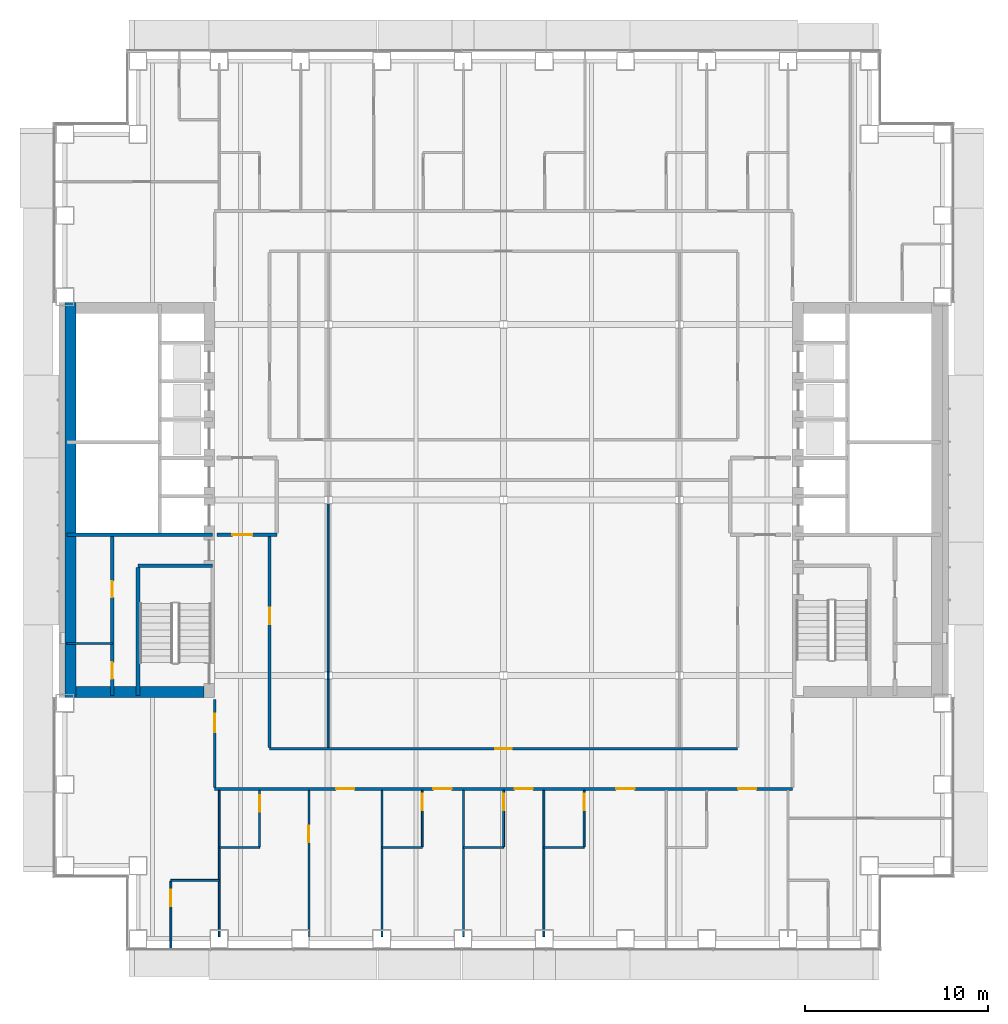
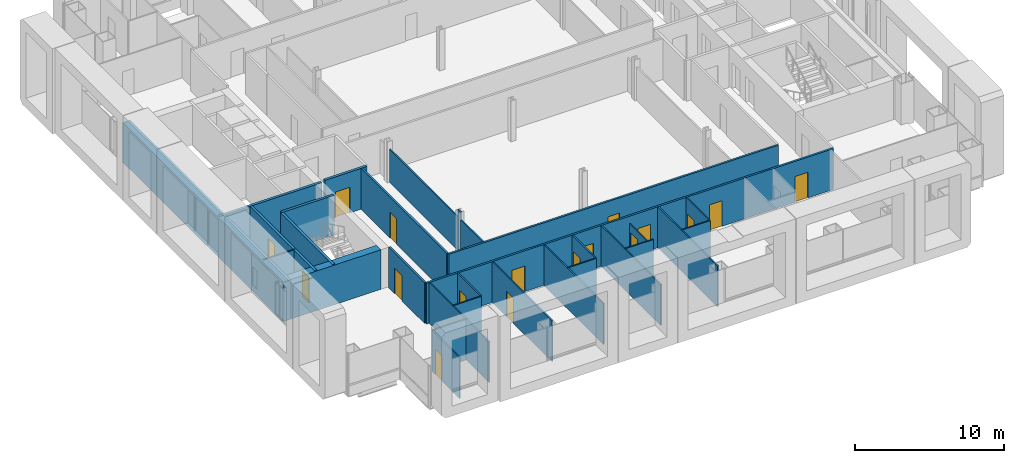
# One storey, part 15 of 25: 30 walls, 17 doors, 17 openings.
"""IFC4 building model written with IfcOpenShell, lengths in metres."""

from ifc_helpers import new_model, si_unit, direction, frame, frame_2d, origin, place, context, subcontext, project, spatial, rectangle, extrude, material, layer, layer_set, type_object, element, fill, save


model = new_model("IFC4")

# Units and contexts
model_context = context("Model", 3, precision=1e-05, world=origin(), true_north=direction((0.0, 1.0)))
body_context = subcontext(model_context, "Body", "Model", "MODEL_VIEW")
ifc_project = project(units=[si_unit("LENGTHUNIT", "METRE"), si_unit("AREAUNIT", "SQUARE_METRE"), si_unit("VOLUMEUNIT", "CUBIC_METRE"), si_unit("PLANEANGLEUNIT", "RADIAN"), si_unit("MASSUNIT", "GRAM", prefix="KILO")], contexts=[model_context])

# Site, building, storey
site_placement = place(None, origin())
site = spatial("IfcSite", under=ifc_project, at=site_placement, CompositionType="ELEMENT")
building_placement = place(site_placement, origin())
building = spatial("IfcBuilding", under=site, at=building_placement, Name="Cobrizo Arcos Hotel Tower", CompositionType="ELEMENT")
storey_placement = place(building_placement, frame((0.0, 0.0, 46.0)))
storey = spatial("IfcBuildingStorey", under=building, at=storey_placement, Name="L09", CompositionType="ELEMENT", Elevation=46.0)

# Wall, openings, doors
ifc_material_1 = material(Name="Gypsum board partition")
ifc_layer_1 = layer(ifc_material_1, 0.14990234375)
ifc_layer_set_1 = layer_set([ifc_layer_1], Name="Corridor wall EI 60 150")
wall_type_1 = type_object("IfcWallType", Name="Corridor wall EI 60 150", PredefinedType="PARTITIONING", material=ifc_layer_set_1)
wall_1_placement = place(storey_placement, frame((-15.800048828125, -15.800048828125, 0.0), z_axis=(0.0, 0.0, 1.0), x_axis=(1.0, 0.0, 0.0)))
wall_1 = element("IfcWall", 1, at=wall_1_placement, inside=storey, type_object=wall_type_1, Name="Partition 009", PredefinedType="PARTITIONING", context=body_context, shape_type="SweptSolid", body=[
    extrude(rectangle(XDim=31.60009765625, YDim=0.14990234375, at=frame_2d((15.800048828125, 0.0))), origin(), (0.0, 0.0, 1.0), 3.35009765625),
])
opening_1_placement = place(wall_1_placement, frame((6.633056640625, 0.0, 0.0)))
opening_1 = element("IfcOpeningElement", 2, at=opening_1_placement, cuts=wall_1, Name="Opening GD-06", PredefinedType="OPENING", context=body_context, shape_type="SweptSolid", body=[
    extrude(rectangle(XDim=1.0, YDim=2.10009765625, at=frame_2d((0.5, 1.050048828125))), frame((0.0, 0.0869140625, 0.0), z_axis=(0.0, -1.0, 0.0), x_axis=(1.0, 0.0, 0.0)), (0.0, 0.0, 1.0), 0.173828125),
])
opening_2_placement = place(wall_1_placement, frame((11.9560546875, 0.0, 0.0)))
opening_2 = element("IfcOpeningElement", 3, at=opening_2_placement, cuts=wall_1, Name="Opening GD-07", PredefinedType="OPENING", context=body_context, shape_type="SweptSolid", body=[
    extrude(rectangle(XDim=1.0, YDim=2.10009765625, at=frame_2d((0.5, 1.050048828125))), frame((0.0, 0.0869140625, 0.0), z_axis=(0.0, -1.0, 0.0), x_axis=(1.0, 0.0, 0.0)), (0.0, 0.0, 1.0), 0.173828125),
])
opening_3_placement = place(wall_1_placement, frame((16.39990234375, 0.0, 0.0)))
opening_3 = element("IfcOpeningElement", 4, at=opening_3_placement, cuts=wall_1, Name="Opening GD-08", PredefinedType="OPENING", context=body_context, shape_type="SweptSolid", body=[
    extrude(rectangle(XDim=1.0, YDim=2.10009765625, at=frame_2d((0.5, 1.050048828125))), frame((0.0, 0.0869140625, 0.0), z_axis=(0.0, -1.0, 0.0), x_axis=(1.0, 0.0, 0.0)), (0.0, 0.0, 1.0), 0.173828125),
])
opening_4_placement = place(wall_1_placement, frame((21.9560546875, 0.0, 0.0)))
opening_4 = element("IfcOpeningElement", 5, at=opening_4_placement, cuts=wall_1, Name="Opening GD-09", PredefinedType="OPENING", context=body_context, shape_type="SweptSolid", body=[
    extrude(rectangle(XDim=1.0, YDim=2.10009765625, at=frame_2d((0.5, 1.050048828125))), frame((0.0, 0.0869140625, 0.0), z_axis=(0.0, -1.0, 0.0), x_axis=(1.0, 0.0, 0.0)), (0.0, 0.0, 1.0), 0.173828125),
])
opening_5_placement = place(wall_1_placement, frame((28.623046875, 0.0, 0.0)))
opening_5 = element("IfcOpeningElement", 6, at=opening_5_placement, cuts=wall_1, Name="Opening GD-10", PredefinedType="OPENING", context=body_context, shape_type="SweptSolid", body=[
    extrude(rectangle(XDim=1.0, YDim=2.10009765625, at=frame_2d((0.5, 1.050048828125))), frame((0.0, 0.0869140625, 0.0), z_axis=(0.0, -1.0, 0.0), x_axis=(1.0, 0.0, 0.0)), (0.0, 0.0, 1.0), 0.173828125),
])
ifc_material_2 = material(Name="Timber door leaf", Category="wood")
door_type_1 = type_object("IfcDoorType", Name="Guest room door FD30S 1000x2100", OperationType="SINGLE_SWING_LEFT", PredefinedType="DOOR", material=ifc_material_2)
door_1_placement = place(opening_1_placement, origin())
door_1 = element("IfcDoor", 7, at=door_1_placement, inside=storey, type_object=door_type_1, Name="Door GD-06", OperationType="SINGLE_SWING_LEFT", OverallHeight=2.10009765625, OverallWidth=1.0, PredefinedType="DOOR", context=body_context, shape_type="SweptSolid", body=[
    extrude(rectangle(XDim=1.0, YDim=2.10009765625, at=frame_2d((0.5, 1.050048828125))), frame((0.0, 0.02490234375, 0.0), z_axis=(0.0, -1.0, 0.0), x_axis=(1.0, 0.0, 0.0)), (0.0, 0.0, 1.0), 0.050048828125),
])
fill(opening_1, door_1)
door_2_placement = place(opening_2_placement, origin())
door_2 = element("IfcDoor", 8, at=door_2_placement, inside=storey, type_object=door_type_1, Name="Door GD-07", OperationType="SINGLE_SWING_LEFT", OverallHeight=2.10009765625, OverallWidth=1.0, PredefinedType="DOOR", context=body_context, shape_type="SweptSolid", body=[
    extrude(rectangle(XDim=1.0, YDim=2.10009765625, at=frame_2d((0.5, 1.050048828125))), frame((0.0, 0.02490234375, 0.0), z_axis=(0.0, -1.0, 0.0), x_axis=(1.0, 0.0, 0.0)), (0.0, 0.0, 1.0), 0.050048828125),
])
fill(opening_2, door_2)
door_3_placement = place(opening_3_placement, origin())
door_3 = element("IfcDoor", 9, at=door_3_placement, inside=storey, type_object=door_type_1, Name="Door GD-08", OperationType="SINGLE_SWING_LEFT", OverallHeight=2.10009765625, OverallWidth=1.0, PredefinedType="DOOR", context=body_context, shape_type="SweptSolid", body=[
    extrude(rectangle(XDim=1.0, YDim=2.10009765625, at=frame_2d((0.5, 1.050048828125))), frame((0.0, 0.02490234375, 0.0), z_axis=(0.0, -1.0, 0.0), x_axis=(1.0, 0.0, 0.0)), (0.0, 0.0, 1.0), 0.050048828125),
])
fill(opening_3, door_3)
door_4_placement = place(opening_4_placement, origin())
door_4 = element("IfcDoor", 10, at=door_4_placement, inside=storey, type_object=door_type_1, Name="Door GD-09", OperationType="SINGLE_SWING_RIGHT", OverallHeight=2.10009765625, OverallWidth=1.0, PredefinedType="DOOR", context=body_context, shape_type="SweptSolid", body=[
    extrude(rectangle(XDim=1.0, YDim=2.10009765625, at=frame_2d((0.5, 1.050048828125))), frame((0.0, 0.02490234375, 0.0), z_axis=(0.0, -1.0, 0.0), x_axis=(1.0, 0.0, 0.0)), (0.0, 0.0, 1.0), 0.050048828125),
])
fill(opening_4, door_4)
door_5_placement = place(opening_5_placement, origin())
door_5 = element("IfcDoor", 11, at=door_5_placement, inside=storey, type_object=door_type_1, Name="Door GD-10", OperationType="SINGLE_SWING_LEFT", OverallHeight=2.10009765625, OverallWidth=1.0, PredefinedType="DOOR", context=body_context, shape_type="SweptSolid", body=[
    extrude(rectangle(XDim=1.0, YDim=2.10009765625, at=frame_2d((0.5, 1.050048828125))), frame((0.0, 0.02490234375, 0.0), z_axis=(0.0, -1.0, 0.0), x_axis=(1.0, 0.0, 0.0)), (0.0, 0.0, 1.0), 0.050048828125),
])
fill(opening_5, door_5)

# Wall, opening, door
wall_2_placement = place(storey_placement, frame((-12.800048828125, -13.60009765625, 0.0), z_axis=(0.0, 0.0, 1.0), x_axis=(1.0, 0.0, 0.0)))
wall_2 = element("IfcWall", 12, at=wall_2_placement, inside=storey, type_object=wall_type_1, Name="Partition 010", PredefinedType="PARTITIONING", context=body_context, shape_type="SweptSolid", body=[
    extrude(rectangle(XDim=25.60009765625, YDim=0.14990234375, at=frame_2d((12.800048828125, 0.0))), origin(), (0.0, 0.0, 1.0), 3.35009765625),
])
opening_6_placement = place(wall_2_placement, frame((12.35009765625, 0.0, 0.0)))
opening_6 = element("IfcOpeningElement", 13, at=opening_6_placement, cuts=wall_2, Name="Opening RD-13", PredefinedType="OPENING", context=body_context, shape_type="SweptSolid", body=[
    extrude(rectangle(XDim=0.89990234375, YDim=2.10009765625, at=frame_2d((0.449951171875, 1.050048828125))), frame((0.0, 0.0869140625, 0.0), z_axis=(0.0, -1.0, 0.0), x_axis=(1.0, 0.0, 0.0)), (0.0, 0.0, 1.0), 0.173828125),
])
door_type_2 = type_object("IfcDoorType", Name="Room door FD30 900x2100", OperationType="SINGLE_SWING_LEFT", PredefinedType="DOOR", material=ifc_material_2)
door_6_placement = place(opening_6_placement, origin())
door_6 = element("IfcDoor", 14, at=door_6_placement, inside=storey, type_object=door_type_2, Name="Door RD-13", OperationType="SINGLE_SWING_LEFT", OverallHeight=2.10009765625, OverallWidth=0.89990234375, PredefinedType="DOOR", context=body_context, shape_type="SweptSolid", body=[
    extrude(rectangle(XDim=0.89990234375, YDim=2.10009765625, at=frame_2d((0.449951171875, 1.050048828125))), frame((0.0, 0.02490234375, 0.0), z_axis=(0.0, -1.0, 0.0), x_axis=(1.0, 0.0, 0.0)), (0.0, 0.0, 1.0), 0.050048828125),
])
fill(opening_6, door_6)

wall_3_placement = place(storey_placement, frame((-15.800048828125, -15.72509765625, 0.0), z_axis=(0.0, 0.0, 1.0), x_axis=(0.0, 1.0, 0.0)))
wall_3 = element("IfcWall", 15, at=wall_3_placement, inside=storey, type_object=wall_type_1, Name="Partition 050", PredefinedType="PARTITIONING", context=body_context, shape_type="SweptSolid", body=[
    extrude(rectangle(XDim=4.80517578125, YDim=0.14990234375, at=frame_2d((2.402587890625, 0.0))), origin(), (0.0, 0.0, 1.0), 3.35009765625),
])
opening_7_placement = place(wall_3_placement, frame((3.02490234375, 0.0, 0.0)))
opening_7 = element("IfcOpeningElement", 16, at=opening_7_placement, cuts=wall_3, Name="Opening GD-11", PredefinedType="OPENING", context=body_context, shape_type="SweptSolid", body=[
    extrude(rectangle(XDim=1.0, YDim=2.10009765625, at=frame_2d((0.5, 1.050048828125))), frame((0.0, 0.0869140625, 0.0), z_axis=(0.0, -1.0, 0.0), x_axis=(1.0, 0.0, 0.0)), (0.0, 0.0, 1.0), 0.173828125),
])
door_7_placement = place(opening_7_placement, origin())
door_7 = element("IfcDoor", 17, at=door_7_placement, inside=storey, type_object=door_type_1, Name="Door GD-11", OperationType="SINGLE_SWING_RIGHT", OverallHeight=2.10009765625, OverallWidth=1.0, PredefinedType="DOOR", context=body_context, shape_type="SweptSolid", body=[
    extrude(rectangle(XDim=1.0, YDim=2.10009765625, at=frame_2d((0.5, 1.050048828125))), frame((0.0, 0.02490234375, 0.0), z_axis=(0.0, -1.0, 0.0), x_axis=(1.0, 0.0, 0.0)), (0.0, 0.0, 1.0), 0.050048828125),
])
fill(opening_7, door_7)

wall_4_placement = place(storey_placement, frame((-12.800048828125, -13.52490234375, 0.0), z_axis=(0.0, 0.0, 1.0), x_axis=(0.0, 1.0, 0.0)))
wall_4 = element("IfcWall", 18, at=wall_4_placement, inside=storey, type_object=wall_type_1, Name="Partition 056", PredefinedType="PARTITIONING", context=body_context, shape_type="SweptSolid", body=[
    extrude(rectangle(XDim=11.52490234375, YDim=0.14990234375, at=frame_2d((5.762451171875, 0.0))), origin(), (0.0, 0.0, 1.0), 3.35009765625),
])
opening_8_placement = place(wall_4_placement, frame((6.72509765625, 0.0, 0.0)))
opening_8 = element("IfcOpeningElement", 19, at=opening_8_placement, cuts=wall_4, Name="Opening RD-10", PredefinedType="OPENING", context=body_context, shape_type="SweptSolid", body=[
    extrude(rectangle(XDim=0.89990234375, YDim=2.10009765625, at=frame_2d((0.449951171875, 1.050048828125))), frame((0.0, 0.0869140625, 0.0), z_axis=(0.0, -1.0, 0.0), x_axis=(1.0, 0.0, 0.0)), (0.0, 0.0, 1.0), 0.173828125),
])
door_8_placement = place(opening_8_placement, origin())
door_8 = element("IfcDoor", 20, at=door_8_placement, inside=storey, type_object=door_type_2, Name="Door RD-10", OperationType="SINGLE_SWING_RIGHT", OverallHeight=2.10009765625, OverallWidth=0.89990234375, PredefinedType="DOOR", context=body_context, shape_type="SweptSolid", body=[
    extrude(rectangle(XDim=0.89990234375, YDim=2.10009765625, at=frame_2d((0.449951171875, 1.050048828125))), frame((0.0, 0.02490234375, 0.0), z_axis=(0.0, -1.0, 0.0), x_axis=(1.0, 0.0, 0.0)), (0.0, 0.0, 1.0), 0.050048828125),
])
fill(opening_8, door_8)

# Walls
ifc_layer_2 = layer(ifc_material_1, 0.10009765625)
ifc_layer_set_2 = layer_set([ifc_layer_2], Name="Partition EI 30 100")
wall_type_2 = type_object("IfcWallType", Name="Partition EI 30 100", PredefinedType="PARTITIONING", material=ifc_layer_set_2)
wall_5_placement = place(storey_placement, frame((-18.199951171875, -20.800048828125, 0.0), z_axis=(0.0, 0.0, 1.0), x_axis=(1.0, 0.0, 0.0)))
element("IfcWall", 21, at=wall_5_placement, inside=storey, type_object=wall_type_2, Name="Partition 001", PredefinedType="PARTITIONING", context=body_context, shape_type="SweptSolid", body=[
    extrude(rectangle(XDim=2.64990234375, YDim=0.10009765625, at=frame_2d((1.324951171875, 0.0))), origin(), (0.0, 0.0, 1.0), 3.35009765625),
])
for number, where, z_axis, x_axis, name in (
    (22, (-15.550048828125, -19.0, 0.0), (0.0, 0.0, 1.0), (1.0, 0.0, 0.0), "Partition 003"),
    (23, (-6.64990234375, -19.0, 0.0), (0.0, 0.0, 1.0), (1.0, 0.0, 0.0), "Partition 004"),
    (24, (-2.199951171875, -19.0, 0.0), (0.0, 0.0, 1.0), (1.0, 0.0, 0.0), "Partition 005"),
    (25, (2.199951171875, -19.0, 0.0), (0.0, 0.0, 1.0), (1.0, 0.0, 0.0), "Partition 006"),
):
    element("IfcWall", number, at=place(storey_placement, frame(where, z_axis=z_axis, x_axis=x_axis)), inside=storey, type_object=wall_type_2, Name=name, PredefinedType="PARTITIONING", context=body_context, shape_type="SweptSolid", body=[
        extrude(rectangle(XDim=2.199951171875, YDim=0.10009765625, at=frame_2d((1.10009765625, 0.0))), origin(), (0.0, 0.0, 1.0), 3.35009765625),
    ])
wall_6_placement = place(storey_placement, frame((-23.8798828125, -7.85009765625, 0.0), z_axis=(0.0, 0.0, 1.0), x_axis=(1.0, 0.0, 0.0)))
element("IfcWall", 26, at=wall_6_placement, inside=storey, type_object=wall_type_2, Name="Partition 011", PredefinedType="PARTITIONING", context=body_context, shape_type="SweptSolid", body=[
    extrude(rectangle(XDim=2.47998046875, YDim=0.10009765625, at=frame_2d((1.239990234375, 0.0))), origin(), (0.0, 0.0, 1.0), 3.25),
])

# Wall, opening, door
wall_7_placement = place(storey_placement, frame((-18.199951171875, -24.530029296875, 0.0), z_axis=(0.0, 0.0, 1.0), x_axis=(0.0, 1.0, 0.0)))
wall_7 = element("IfcWall", 27, at=wall_7_placement, inside=storey, type_object=wall_type_2, Name="Partition 048", PredefinedType="PARTITIONING", context=body_context, shape_type="SweptSolid", body=[
    extrude(rectangle(XDim=3.679931640625, YDim=0.10009765625, at=frame_2d((1.83984375, 0.0))), origin(), (0.0, 0.0, 1.0), 3.35009765625),
])
opening_9_placement = place(wall_7_placement, frame((2.320068359375, 0.0, 0.0)))
opening_9 = element("IfcOpeningElement", 28, at=opening_9_placement, cuts=wall_7, Name="Opening ED-12", PredefinedType="OPENING", context=body_context, shape_type="SweptSolid", body=[
    extrude(rectangle(XDim=0.89990234375, YDim=2.10009765625, at=frame_2d((0.449951171875, 1.050048828125))), frame((0.0, 0.06201171875, 0.0), z_axis=(0.0, -1.0, 0.0), x_axis=(1.0, 0.0, 0.0)), (0.0, 0.0, 1.0), 0.1240234375),
])
door_type_3 = type_object("IfcDoorType", Name="En-suite door 900x2100", OperationType="SINGLE_SWING_LEFT", PredefinedType="DOOR", material=ifc_material_2)
door_9_placement = place(opening_9_placement, origin())
door_9 = element("IfcDoor", 29, at=door_9_placement, inside=storey, type_object=door_type_3, Name="Door ED-12", OperationType="SINGLE_SWING_LEFT", OverallHeight=2.10009765625, OverallWidth=0.89990234375, PredefinedType="DOOR", context=body_context, shape_type="SweptSolid", body=[
    extrude(rectangle(XDim=0.89990234375, YDim=2.10009765625, at=frame_2d((0.449951171875, 1.050048828125))), frame((0.0, 0.02490234375, 0.0), z_axis=(0.0, -1.0, 0.0), x_axis=(1.0, 0.0, 0.0)), (0.0, 0.0, 1.0), 0.050048828125),
])
fill(opening_9, door_9)

# Wall
wall_8_placement = place(storey_placement, frame((-15.550048828125, -23.8798828125, 0.0), z_axis=(0.0, 0.0, 1.0), x_axis=(0.0, 1.0, 0.0)))
element("IfcWall", 30, at=wall_8_placement, inside=storey, type_object=wall_type_2, Name="Partition 052", PredefinedType="PARTITIONING", context=body_context, shape_type="SweptSolid", body=[
    extrude(rectangle(XDim=8.0048828125, YDim=0.10009765625, at=frame_2d((4.00244140625, 0.0))), origin(), (0.0, 0.0, 1.0), 3.35009765625),
])

# Wall, opening, door
wall_9_placement = place(storey_placement, frame((-13.35009765625, -18.949951171875, 0.0), z_axis=(0.0, 0.0, 1.0), x_axis=(0.0, 1.0, 0.0)))
wall_9 = element("IfcWall", 31, at=wall_9_placement, inside=storey, type_object=wall_type_2, Name="Partition 054", PredefinedType="PARTITIONING", context=body_context, shape_type="SweptSolid", body=[
    extrude(rectangle(XDim=3.074951171875, YDim=0.10009765625, at=frame_2d((1.53759765625, 0.0))), origin(), (0.0, 0.0, 1.0), 3.35009765625),
])
opening_10_placement = place(wall_9_placement, frame((1.89990234375, 0.0, 0.0)))
opening_10 = element("IfcOpeningElement", 32, at=opening_10_placement, cuts=wall_9, Name="Opening ED-07", PredefinedType="OPENING", context=body_context, shape_type="SweptSolid", body=[
    extrude(rectangle(XDim=0.89990234375, YDim=2.10009765625, at=frame_2d((0.449951171875, 1.050048828125))), frame((0.0, 0.06201171875, 0.0), z_axis=(0.0, -1.0, 0.0), x_axis=(1.0, 0.0, 0.0)), (0.0, 0.0, 1.0), 0.1240234375),
])
door_10_placement = place(opening_10_placement, origin())
door_10 = element("IfcDoor", 33, at=door_10_placement, inside=storey, type_object=door_type_3, Name="Door ED-07", OperationType="SINGLE_SWING_RIGHT", OverallHeight=2.10009765625, OverallWidth=0.89990234375, PredefinedType="DOOR", context=body_context, shape_type="SweptSolid", body=[
    extrude(rectangle(XDim=0.89990234375, YDim=2.10009765625, at=frame_2d((0.449951171875, 1.050048828125))), frame((0.0, 0.02490234375, 0.0), z_axis=(0.0, -1.0, 0.0), x_axis=(1.0, 0.0, 0.0)), (0.0, 0.0, 1.0), 0.050048828125),
])
fill(opening_10, door_10)

wall_10_placement = place(storey_placement, frame((-10.64990234375, -23.8798828125, 0.0), z_axis=(0.0, 0.0, 1.0), x_axis=(0.0, 1.0, 0.0)))
wall_10 = element("IfcWall", 34, at=wall_10_placement, inside=storey, type_object=wall_type_2, Name="Partition 062", PredefinedType="PARTITIONING", context=body_context, shape_type="SweptSolid", body=[
    extrude(rectangle(XDim=8.0048828125, YDim=0.10009765625, at=frame_2d((4.00244140625, 0.0))), origin(), (0.0, 0.0, 1.0), 3.35009765625),
])
opening_11_placement = place(wall_10_placement, frame((5.169921875, 0.0, 0.0)))
opening_11 = element("IfcOpeningElement", 35, at=opening_11_placement, cuts=wall_10, Name="Opening RD-05", PredefinedType="OPENING", context=body_context, shape_type="SweptSolid", body=[
    extrude(rectangle(XDim=0.89990234375, YDim=2.10009765625, at=frame_2d((0.449951171875, 1.050048828125))), frame((0.0, 0.06201171875, 0.0), z_axis=(0.0, -1.0, 0.0), x_axis=(1.0, 0.0, 0.0)), (0.0, 0.0, 1.0), 0.1240234375),
])
door_11_placement = place(opening_11_placement, origin())
door_11 = element("IfcDoor", 36, at=door_11_placement, inside=storey, type_object=door_type_2, Name="Door RD-05", OperationType="SINGLE_SWING_LEFT", OverallHeight=2.10009765625, OverallWidth=0.89990234375, PredefinedType="DOOR", context=body_context, shape_type="SweptSolid", body=[
    extrude(rectangle(XDim=0.89990234375, YDim=2.10009765625, at=frame_2d((0.449951171875, 1.050048828125))), frame((0.0, 0.02490234375, 0.0), z_axis=(0.0, -1.0, 0.0), x_axis=(1.0, 0.0, 0.0)), (0.0, 0.0, 1.0), 0.050048828125),
])
fill(opening_11, door_11)

# Walls
wall_11_placement = place(storey_placement, frame((-9.60009765625, -13.52490234375, 0.0), z_axis=(0.0, 0.0, 1.0), x_axis=(0.0, 1.0, 0.0)))
element("IfcWall", 37, at=wall_11_placement, inside=storey, type_object=wall_type_2, Name="Partition 063", PredefinedType="PARTITIONING", context=body_context, shape_type="SweptSolid", body=[
    extrude(rectangle(XDim=3.720947265625, YDim=0.10009765625, at=frame_2d((1.8603515625, 0.0))), origin(), (0.0, 0.0, 1.0), 2.72802734375),
])
wall_12_placement = place(storey_placement, frame((-9.60009765625, -9.803955078125, 0.0), z_axis=(0.0, 0.0, 1.0), x_axis=(0.0, 1.0, 0.0)))
element("IfcWall", 38, at=wall_12_placement, inside=storey, type_object=wall_type_2, Name="Partition 064", PredefinedType="PARTITIONING", context=body_context, shape_type="SweptSolid", body=[
    extrude(rectangle(XDim=0.407958984375, YDim=0.10009765625, at=frame_2d((0.2041015625, 0.0))), origin(), (0.0, 0.0, 1.0), 3.35009765625),
])
wall_13_placement = place(storey_placement, frame((-9.60009765625, -9.39599609375, 0.0), z_axis=(0.0, 0.0, 1.0), x_axis=(0.0, 1.0, 0.0)))
element("IfcWall", 39, at=wall_13_placement, inside=storey, type_object=wall_type_2, Name="Partition 065", PredefinedType="PARTITIONING", context=body_context, shape_type="SweptSolid", body=[
    extrude(rectangle(XDim=9.19189453125, YDim=0.10009765625, at=frame_2d((4.595947265625, 0.0))), origin(), (0.0, 0.0, 1.0), 2.72802734375),
])
wall_14_placement = place(storey_placement, frame((-6.64990234375, -23.8798828125, 0.0), z_axis=(0.0, 0.0, 1.0), x_axis=(0.0, 1.0, 0.0)))
element("IfcWall", 40, at=wall_14_placement, inside=storey, type_object=wall_type_2, Name="Partition 072", PredefinedType="PARTITIONING", context=body_context, shape_type="SweptSolid", body=[
    extrude(rectangle(XDim=8.0048828125, YDim=0.10009765625, at=frame_2d((4.00244140625, 0.0))), origin(), (0.0, 0.0, 1.0), 3.35009765625),
])

# Wall, opening, door
wall_15_placement = place(storey_placement, frame((-4.449951171875, -18.949951171875, 0.0), z_axis=(0.0, 0.0, 1.0), x_axis=(0.0, 1.0, 0.0)))
wall_15 = element("IfcWall", 41, at=wall_15_placement, inside=storey, type_object=wall_type_2, Name="Partition 073", PredefinedType="PARTITIONING", context=body_context, shape_type="SweptSolid", body=[
    extrude(rectangle(XDim=3.074951171875, YDim=0.10009765625, at=frame_2d((1.53759765625, 0.0))), origin(), (0.0, 0.0, 1.0), 3.35009765625),
])
opening_12_placement = place(wall_15_placement, frame((1.99609375, 0.0, 0.0)))
opening_12 = element("IfcOpeningElement", 42, at=opening_12_placement, cuts=wall_15, Name="Opening ED-08", PredefinedType="OPENING", context=body_context, shape_type="SweptSolid", body=[
    extrude(rectangle(XDim=0.89990234375, YDim=2.10009765625, at=frame_2d((0.449951171875, 1.050048828125))), frame((0.0, 0.06201171875, 0.0), z_axis=(0.0, -1.0, 0.0), x_axis=(1.0, 0.0, 0.0)), (0.0, 0.0, 1.0), 0.1240234375),
])
door_12_placement = place(opening_12_placement, origin())
door_12 = element("IfcDoor", 43, at=door_12_placement, inside=storey, type_object=door_type_3, Name="Door ED-08", OperationType="SINGLE_SWING_LEFT", OverallHeight=2.10009765625, OverallWidth=0.89990234375, PredefinedType="DOOR", context=body_context, shape_type="SweptSolid", body=[
    extrude(rectangle(XDim=0.89990234375, YDim=2.10009765625, at=frame_2d((0.449951171875, 1.050048828125))), frame((0.0, 0.02490234375, 0.0), z_axis=(0.0, -1.0, 0.0), x_axis=(1.0, 0.0, 0.0)), (0.0, 0.0, 1.0), 0.050048828125),
])
fill(opening_12, door_12)

# Wall
wall_16_placement = place(storey_placement, frame((-2.199951171875, -23.8798828125, 0.0), z_axis=(0.0, 0.0, 1.0), x_axis=(0.0, 1.0, 0.0)))
element("IfcWall", 44, at=wall_16_placement, inside=storey, type_object=wall_type_2, Name="Partition 075", PredefinedType="PARTITIONING", context=body_context, shape_type="SweptSolid", body=[
    extrude(rectangle(XDim=8.0048828125, YDim=0.10009765625, at=frame_2d((4.00244140625, 0.0))), origin(), (0.0, 0.0, 1.0), 3.35009765625),
])

# Wall, opening, door
wall_17_placement = place(storey_placement, frame((0.0, -18.949951171875, 0.0), z_axis=(0.0, 0.0, 1.0), x_axis=(0.0, 1.0, 0.0)))
wall_17 = element("IfcWall", 45, at=wall_17_placement, inside=storey, type_object=wall_type_2, Name="Partition 077", PredefinedType="PARTITIONING", context=body_context, shape_type="SweptSolid", body=[
    extrude(rectangle(XDim=3.074951171875, YDim=0.10009765625, at=frame_2d((1.53759765625, 0.0))), origin(), (0.0, 0.0, 1.0), 2.72802734375),
])
opening_13_placement = place(wall_17_placement, frame((1.99609375, 0.0, 0.0)))
opening_13 = element("IfcOpeningElement", 46, at=opening_13_placement, cuts=wall_17, Name="Opening ED-09", PredefinedType="OPENING", context=body_context, shape_type="SweptSolid", body=[
    extrude(rectangle(XDim=0.89990234375, YDim=2.10009765625, at=frame_2d((0.449951171875, 1.050048828125))), frame((0.0, 0.06201171875, 0.0), z_axis=(0.0, -1.0, 0.0), x_axis=(1.0, 0.0, 0.0)), (0.0, 0.0, 1.0), 0.1240234375),
])
door_13_placement = place(opening_13_placement, origin())
door_13 = element("IfcDoor", 47, at=door_13_placement, inside=storey, type_object=door_type_3, Name="Door ED-09", OperationType="SINGLE_SWING_LEFT", OverallHeight=2.10009765625, OverallWidth=0.89990234375, PredefinedType="DOOR", context=body_context, shape_type="SweptSolid", body=[
    extrude(rectangle(XDim=0.89990234375, YDim=2.10009765625, at=frame_2d((0.449951171875, 1.050048828125))), frame((0.0, 0.02490234375, 0.0), z_axis=(0.0, -1.0, 0.0), x_axis=(1.0, 0.0, 0.0)), (0.0, 0.0, 1.0), 0.050048828125),
])
fill(opening_13, door_13)

# Wall
wall_18_placement = place(storey_placement, frame((2.199951171875, -23.8798828125, 0.0), z_axis=(0.0, 0.0, 1.0), x_axis=(0.0, 1.0, 0.0)))
element("IfcWall", 48, at=wall_18_placement, inside=storey, type_object=wall_type_2, Name="Partition 078", PredefinedType="PARTITIONING", context=body_context, shape_type="SweptSolid", body=[
    extrude(rectangle(XDim=8.0048828125, YDim=0.10009765625, at=frame_2d((4.00244140625, 0.0))), origin(), (0.0, 0.0, 1.0), 3.35009765625),
])

# Wall, opening, door
wall_19_placement = place(storey_placement, frame((4.39990234375, -18.949951171875, 0.0), z_axis=(0.0, 0.0, 1.0), x_axis=(0.0, 1.0, 0.0)))
wall_19 = element("IfcWall", 49, at=wall_19_placement, inside=storey, type_object=wall_type_2, Name="Partition 080", PredefinedType="PARTITIONING", context=body_context, shape_type="SweptSolid", body=[
    extrude(rectangle(XDim=3.074951171875, YDim=0.10009765625, at=frame_2d((1.53759765625, 0.0))), origin(), (0.0, 0.0, 1.0), 3.35009765625),
])
opening_14_placement = place(wall_19_placement, frame((1.99609375, 0.0, 0.0)))
opening_14 = element("IfcOpeningElement", 50, at=opening_14_placement, cuts=wall_19, Name="Opening ED-10", PredefinedType="OPENING", context=body_context, shape_type="SweptSolid", body=[
    extrude(rectangle(XDim=0.89990234375, YDim=2.10009765625, at=frame_2d((0.449951171875, 1.050048828125))), frame((0.0, 0.06201171875, 0.0), z_axis=(0.0, -1.0, 0.0), x_axis=(1.0, 0.0, 0.0)), (0.0, 0.0, 1.0), 0.1240234375),
])
door_14_placement = place(opening_14_placement, origin())
door_14 = element("IfcDoor", 51, at=door_14_placement, inside=storey, type_object=door_type_3, Name="Door ED-10", OperationType="SINGLE_SWING_LEFT", OverallHeight=2.10009765625, OverallWidth=0.89990234375, PredefinedType="DOOR", context=body_context, shape_type="SweptSolid", body=[
    extrude(rectangle(XDim=0.89990234375, YDim=2.10009765625, at=frame_2d((0.449951171875, 1.050048828125))), frame((0.0, 0.02490234375, 0.0), z_axis=(0.0, -1.0, 0.0), x_axis=(1.0, 0.0, 0.0)), (0.0, 0.0, 1.0), 0.050048828125),
])
fill(opening_14, door_14)

# Walls
ifc_material_3 = material(Name="Concrete f'c 60 MPa", Category="concrete")
ifc_layer_3 = layer(ifc_material_3, 0.60009765625)
ifc_layer_set_3 = layer_set([ifc_layer_3], Name="RC core wall 600 f'c 60")
wall_type_3 = type_object("IfcWallType", Name="RC core wall 600 f'c 60", PredefinedType="SHEAR", material=ifc_layer_set_3)
wall_20_placement = place(storey_placement, frame((-23.699951171875, -10.800048828125, 0.0), z_axis=(0.0, 0.0, 1.0), x_axis=(0.0, 1.0, 0.0)))
element("IfcWall", 52, at=wall_20_placement, inside=storey, type_object=wall_type_3, Name="Core wall CW1, west core, outer face, L09", PredefinedType="SHEAR", context=body_context, shape_type="SweptSolid", body=[
    extrude(rectangle(XDim=21.60009765625, YDim=0.60009765625, at=frame_2d((10.800048828125, 0.0))), origin(), (0.0, 0.0, 1.0), 3.25),
])
wall_21_placement = place(storey_placement, frame((-23.39990234375, -10.5, 0.0), z_axis=(0.0, 0.0, 1.0), x_axis=(1.0, 0.0, 0.0)))
element("IfcWall", 53, at=wall_21_placement, inside=storey, type_object=wall_type_3, Name="Core wall CW1, west core, south end, L09", PredefinedType="SHEAR", context=body_context, shape_type="SweptSolid", body=[
    extrude(rectangle(XDim=7.0, YDim=0.60009765625, at=frame_2d((3.5, 0.0))), origin(), (0.0, 0.0, 1.0), 3.25),
])
ifc_layer_4 = layer(ifc_material_1, 0.199951171875)
ifc_layer_set_4 = layer_set([ifc_layer_4], Name="Shaft wall EI 120 200")
wall_type_4 = type_object("IfcWallType", Name="Shaft wall EI 120 200", PredefinedType="PARTITIONING", material=ifc_layer_set_4)
wall_22_placement = place(storey_placement, frame((-23.8798828125, -1.89990234375, 0.0), z_axis=(0.0, 0.0, 1.0), x_axis=(1.0, 0.0, 0.0)))
element("IfcWall", 54, at=wall_22_placement, inside=storey, type_object=wall_type_4, Name="Partition 015", PredefinedType="PARTITIONING", context=body_context, shape_type="SweptSolid", body=[
    extrude(rectangle(XDim=7.9599609375, YDim=0.199951171875, at=frame_2d((3.97998046875, 0.0))), origin(), (0.0, 0.0, 1.0), 3.25),
])

# Wall, opening, door
wall_23_placement = place(storey_placement, frame((-15.679931640625, -1.89990234375, 0.0), z_axis=(0.0, 0.0, 1.0), x_axis=(1.0, 0.0, 0.0)))
wall_23 = element("IfcWall", 55, at=wall_23_placement, inside=storey, type_object=wall_type_4, Name="Partition 016", PredefinedType="PARTITIONING", context=body_context, shape_type="SweptSolid", body=[
    extrude(rectangle(XDim=3.280029296875, YDim=0.199951171875, at=frame_2d((1.64013671875, 0.0))), origin(), (0.0, 0.0, 1.0), 3.35009765625),
])
opening_15_placement = place(wall_23_placement, frame((0.840087890625, 0.0, 0.0)))
opening_15 = element("IfcOpeningElement", 56, at=opening_15_placement, cuts=wall_23, Name="Opening FD-03", PredefinedType="OPENING", context=body_context, shape_type="SweptSolid", body=[
    extrude(rectangle(XDim=1.10009765625, YDim=2.10009765625, at=frame_2d((0.550048828125, 1.050048828125))), frame((0.0, 0.112060546875, 0.0), z_axis=(0.0, -1.0, 0.0), x_axis=(1.0, 0.0, 0.0)), (0.0, 0.0, 1.0), 0.223876953125),
])
ifc_material_4 = material(Name="Steel door leaf", Category="steel")
door_type_4 = type_object("IfcDoorType", Name="Fire door FD60 1100x2100", OperationType="SINGLE_SWING_LEFT", PredefinedType="DOOR", material=ifc_material_4)
door_15_placement = place(opening_15_placement, origin())
door_15 = element("IfcDoor", 57, at=door_15_placement, inside=storey, type_object=door_type_4, Name="Door FD-03", OperationType="SINGLE_SWING_LEFT", OverallHeight=2.10009765625, OverallWidth=1.10009765625, PredefinedType="DOOR", context=body_context, shape_type="SweptSolid", body=[
    extrude(rectangle(XDim=1.10009765625, YDim=2.10009765625, at=frame_2d((0.550048828125, 1.050048828125))), frame((0.0, 0.02490234375, 0.0), z_axis=(0.0, -1.0, 0.0), x_axis=(1.0, 0.0, 0.0)), (0.0, 0.0, 1.0), 0.050048828125),
])
fill(opening_15, door_15)

# Wall, openings, doors
wall_24_placement = place(storey_placement, frame((-21.39990234375, -10.679931640625, 0.0), z_axis=(0.0, 0.0, 1.0), x_axis=(0.0, 1.0, 0.0)))
wall_24 = element("IfcWall", 58, at=wall_24_placement, inside=storey, type_object=wall_type_4, Name="Partition 045", PredefinedType="PARTITIONING", context=body_context, shape_type="SweptSolid", body=[
    extrude(rectangle(XDim=8.679931640625, YDim=0.199951171875, at=frame_2d((4.33984375, 0.0))), origin(), (0.0, 0.0, 1.0), 3.25),
])
opening_16_placement = place(wall_24_placement, frame((0.89892578125, 0.0, 0.0)))
opening_16 = element("IfcOpeningElement", 59, at=opening_16_placement, cuts=wall_24, Name="Opening ED-01", PredefinedType="OPENING", context=body_context, shape_type="SweptSolid", body=[
    extrude(rectangle(XDim=0.89990234375, YDim=2.10009765625, at=frame_2d((0.449951171875, 1.050048828125))), frame((0.0, 0.112060546875, 0.0), z_axis=(0.0, -1.0, 0.0), x_axis=(1.0, 0.0, 0.0)), (0.0, 0.0, 1.0), 0.223876953125),
])
opening_17_placement = place(wall_24_placement, frame((5.34912109375, 0.0, 0.0)))
opening_17 = element("IfcOpeningElement", 60, at=opening_17_placement, cuts=wall_24, Name="Opening RD-01", PredefinedType="OPENING", context=body_context, shape_type="SweptSolid", body=[
    extrude(rectangle(XDim=0.89990234375, YDim=2.10009765625, at=frame_2d((0.449951171875, 1.050048828125))), frame((0.0, 0.112060546875, 0.0), z_axis=(0.0, -1.0, 0.0), x_axis=(1.0, 0.0, 0.0)), (0.0, 0.0, 1.0), 0.223876953125),
])
door_16_placement = place(opening_16_placement, origin())
door_16 = element("IfcDoor", 61, at=door_16_placement, inside=storey, type_object=door_type_3, Name="Door ED-01", OperationType="SINGLE_SWING_RIGHT", OverallHeight=2.10009765625, OverallWidth=0.89990234375, PredefinedType="DOOR", context=body_context, shape_type="SweptSolid", body=[
    extrude(rectangle(XDim=0.89990234375, YDim=2.10009765625, at=frame_2d((0.449951171875, 1.050048828125))), frame((0.0, 0.02490234375, 0.0), z_axis=(0.0, -1.0, 0.0), x_axis=(1.0, 0.0, 0.0)), (0.0, 0.0, 1.0), 0.050048828125),
])
fill(opening_16, door_16)
door_17_placement = place(opening_17_placement, origin())
door_17 = element("IfcDoor", 62, at=door_17_placement, inside=storey, type_object=door_type_2, Name="Door RD-01", OperationType="SINGLE_SWING_LEFT", OverallHeight=2.10009765625, OverallWidth=0.89990234375, PredefinedType="DOOR", context=body_context, shape_type="SweptSolid", body=[
    extrude(rectangle(XDim=0.89990234375, YDim=2.10009765625, at=frame_2d((0.449951171875, 1.050048828125))), frame((0.0, 0.02490234375, 0.0), z_axis=(0.0, -1.0, 0.0), x_axis=(1.0, 0.0, 0.0)), (0.0, 0.0, 1.0), 0.050048828125),
])
fill(opening_17, door_17)

# Walls
ifc_material_5 = material(Name="Concrete f'c 40 MPa", Category="concrete")
ifc_layer_5 = layer(ifc_material_5, 0.199951171875)
ifc_layer_set_5 = layer_set([ifc_layer_5], Name="Stair shaft wall 200")
wall_type_5 = type_object("IfcWallType", Name="Stair shaft wall 200", PredefinedType="SHEAR", material=ifc_layer_set_5)
wall_25_placement = place(storey_placement, frame((-20.0, -3.60009765625, 0.0), z_axis=(0.0, 0.0, 1.0), x_axis=(1.0, 0.0, 0.0)))
element("IfcWall", 63, at=wall_25_placement, inside=storey, type_object=wall_type_5, Name="Stair shaft wall W", PredefinedType="SHEAR", context=body_context, shape_type="SweptSolid", body=[
    extrude(rectangle(XDim=4.080078125, YDim=0.199951171875, at=frame_2d((2.0400390625, 0.0))), origin(), (0.0, 0.0, 1.0), 3.25),
])
wall_26_placement = place(storey_placement, frame((-20.0, -10.679931640625, 0.0), z_axis=(0.0, 0.0, 1.0), x_axis=(0.0, 1.0, 0.0)))
element("IfcWall", 64, at=wall_26_placement, inside=storey, type_object=wall_type_5, Name="Stair shaft wall W", PredefinedType="SHEAR", context=body_context, shape_type="SweptSolid", body=[
    extrude(rectangle(XDim=6.97998046875, YDim=0.199951171875, at=frame_2d((3.489990234375, 0.0))), origin(), (0.0, 0.0, 1.0), 3.25),
])

save(model, "model.ifc")
